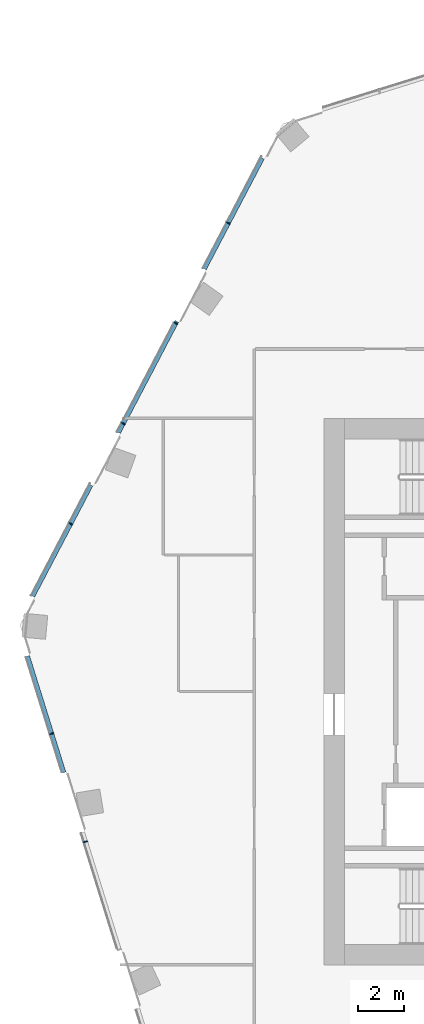
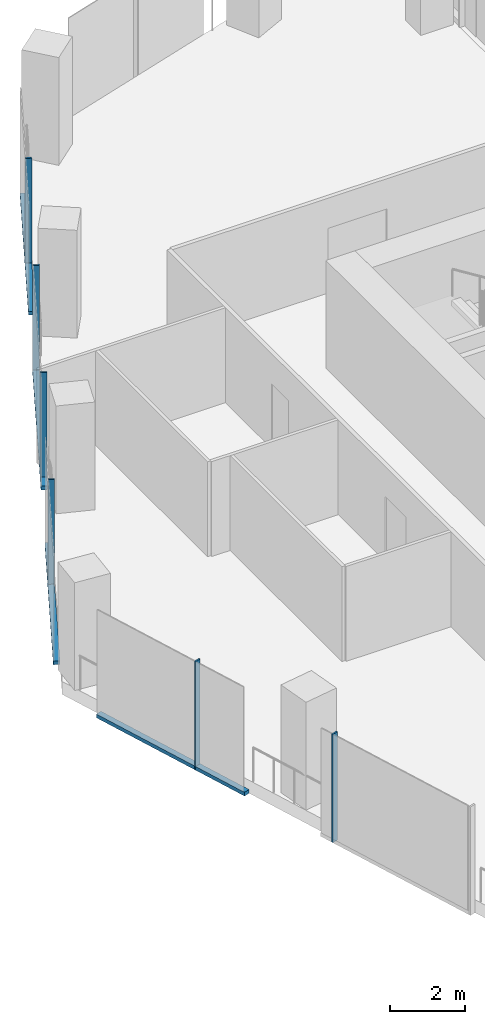
# One storey, part 5 of 26: 10 members, 2 elements without a shape of their own.
"""IFC4 building model written with IfcOpenShell, lengths in metres."""

from ifc_helpers import new_model, si_unit, direction, frame, origin, origin_2d, place, context, subcontext, project, spatial, rectangle, extrude, material, material_profile, profile_set, type_object, element, aggregate, save


model = new_model("IFC4")

# Units and contexts
model_context = context("Model", 3, precision=1e-05, world=origin(), true_north=direction((0.0, 1.0)))
body_context = subcontext(model_context, "Body", "Model", "MODEL_VIEW")
ifc_project = project(units=[si_unit("LENGTHUNIT", "METRE"), si_unit("AREAUNIT", "SQUARE_METRE"), si_unit("VOLUMEUNIT", "CUBIC_METRE"), si_unit("PLANEANGLEUNIT", "RADIAN"), si_unit("MASSUNIT", "GRAM", prefix="KILO")], contexts=[model_context])

# Site, building, storey
site_placement = place(None, origin())
site = spatial("IfcSite", under=ifc_project, at=site_placement, CompositionType="ELEMENT")
building_placement = place(site_placement, origin())
building = spatial("IfcBuilding", under=site, at=building_placement, Name="Orlundy Tower", CompositionType="ELEMENT")
storey_placement = place(building_placement, frame((0.0, 0.0, 253.5)))
storey = spatial("IfcBuildingStorey", under=building, at=storey_placement, Name="L67", CompositionType="ELEMENT", Elevation=253.5)

# Curtain wall, members
ifc_material_1 = material(Name="Aluminium bronze anodised", Category="aluminium")
curtain_wall_type = type_object("IfcCurtainWallType", Name="CW1 wall", PredefinedType="NOTDEFINED", material=ifc_material_1)
curtain_wall_1_placement = place(storey_placement, origin())
curtain_wall_1 = element("IfcCurtainWall", 1, at=curtain_wall_1_placement, inside=storey, type_object=curtain_wall_type, Name="CW1 run 01", PredefinedType="NOTDEFINED")
ifc_material_2 = material(Name="Aluminium bronze anodised", Category="aluminium")
ifc_material_profile_1 = material_profile(ifc_material_2, rectangle(XDim=0.179931640625, YDim=0.050048828125, at=origin_2d()), Name="CW1 mullion 50x180")
ifc_profile_set_1 = profile_set([ifc_material_profile_1], Name="Aluminium bronze anodised")
member_type_1 = type_object("IfcMemberType", Name="CW1 mullion 50x180", PredefinedType="MULLION", material=ifc_profile_set_1)
member_1_placement = place(storey_placement, frame((-29.4638671875, -6.592529296875, -0.419921875), z_axis=(0.0, 0.0, 1.0), x_axis=(-0.954580158408, -0.297954226643, 0.0)))
member_1 = element("IfcMember", 2, at=member_1_placement, type_object=member_type_1, Name="CW1 mullion 6", PredefinedType="MULLION", context=body_context, shape_type="SweptSolid", body=[
    extrude(rectangle(XDim=0.179931640625, YDim=0.050048828125, at=origin_2d()), origin(), (0.0, 0.0, 1.0), 3.52001953125),
])
member_2_placement = place(storey_placement, frame((-30.94482421875, -1.84765625, -0.419921875), z_axis=(0.0, 0.0, 1.0), x_axis=(-0.954580158408, -0.297954226643, 0.0)))
member_2 = element("IfcMember", 3, at=member_2_placement, type_object=member_type_1, Name="CW1 mullion 7", PredefinedType="MULLION", context=body_context, shape_type="SweptSolid", body=[
    extrude(rectangle(XDim=0.179931640625, YDim=0.050048828125, at=origin_2d()), origin(), (0.0, 0.0, 1.0), 3.52001953125),
])

curtain_wall_2_placement = place(storey_placement, origin())
curtain_wall_2 = element("IfcCurtainWall", 4, at=curtain_wall_2_placement, inside=storey, type_object=curtain_wall_type, Name="CW1 run 02", PredefinedType="NOTDEFINED")
member_3_placement = place(storey_placement, frame((-30.11181640625, 7.367919921875, -0.419921875), z_axis=(0.0, 0.0, 1.0), x_axis=(-0.885658998646, 0.464336233904, 0.0)))
member_3 = element("IfcMember", 5, at=member_3_placement, type_object=member_type_1, Name="CW1 mullion 9", PredefinedType="MULLION", context=body_context, shape_type="SweptSolid", body=[
    extrude(rectangle(XDim=0.179931640625, YDim=0.050048828125, at=origin_2d()), origin(), (0.0, 0.0, 1.0), 3.52001953125),
])
member_4_placement = place(storey_placement, frame((-27.8037109375, 11.770263671875, -0.419921875), z_axis=(0.0, 0.0, 1.0), x_axis=(-0.885658998646, 0.464336233904, 0.0)))
member_4 = element("IfcMember", 6, at=member_4_placement, type_object=member_type_1, Name="CW1 mullion 10", PredefinedType="MULLION", context=body_context, shape_type="SweptSolid", body=[
    extrude(rectangle(XDim=0.179931640625, YDim=0.050048828125, at=origin_2d()), origin(), (0.0, 0.0, 1.0), 3.52001953125),
])
member_5_placement = place(storey_placement, frame((-25.49560546875, 16.17236328125, -0.419921875), z_axis=(0.0, 0.0, 1.0), x_axis=(-0.885658998646, 0.464336233904, 0.0)))
member_5 = element("IfcMember", 7, at=member_5_placement, type_object=member_type_1, Name="CW1 mullion 11", PredefinedType="MULLION", context=body_context, shape_type="SweptSolid", body=[
    extrude(rectangle(XDim=0.179931640625, YDim=0.050048828125, at=origin_2d()), origin(), (0.0, 0.0, 1.0), 3.52001953125),
])
member_6_placement = place(storey_placement, frame((-23.187744140625, 20.57470703125, -0.419921875), z_axis=(0.0, 0.0, 1.0), x_axis=(-0.885658998646, 0.464336233904, 0.0)))
member_6 = element("IfcMember", 8, at=member_6_placement, type_object=member_type_1, Name="CW1 mullion 12", PredefinedType="MULLION", context=body_context, shape_type="SweptSolid", body=[
    extrude(rectangle(XDim=0.179931640625, YDim=0.050048828125, at=origin_2d()), origin(), (0.0, 0.0, 1.0), 3.52001953125),
])

# Member
ifc_material_3 = material(Name="Aluminium bronze anodised", Category="aluminium")
ifc_material_profile_2 = material_profile(ifc_material_3, rectangle(XDim=0.179931640625, YDim=0.1201171875, at=origin_2d()), Name="CW1 transom 180x120")
ifc_profile_set_2 = profile_set([ifc_material_profile_2], Name="Aluminium bronze anodised")
member_type_2 = type_object("IfcMemberType", Name="CW1 transom 180x120", PredefinedType="USERDEFINED", material=ifc_profile_set_2)
member_7_placement = place(storey_placement, frame((-30.410888671875, -3.558349609375, -0.360107421875), z_axis=(-0.297955998746, 0.954579605277, 0.0), x_axis=(-0.954579605277, -0.297955998746, 0.0)))
member_7 = element("IfcMember", 9, at=member_7_placement, type_object=member_type_2, Name="CW1 transom", ObjectType="TRANSOM", PredefinedType="USERDEFINED", context=body_context, shape_type="SweptSolid", body=[
    extrude(rectangle(XDim=0.179931640625, YDim=0.1201171875, at=origin_2d()), origin(), (0.0, 0.0, 1.0), 5.3603515625),
])

aggregate(curtain_wall_1, [member_1, member_2, member_7])

member_8_placement = place(storey_placement, frame((-31.778076171875, 4.189453125, -0.360107421875), z_axis=(0.464334675942, 0.885659815459, 0.0), x_axis=(-0.885659815459, 0.464334675942, 0.0)))
member_8 = element("IfcMember", 10, at=member_8_placement, type_object=member_type_2, Name="CW1 transom", ObjectType="TRANSOM", PredefinedType="USERDEFINED", context=body_context, shape_type="SweptSolid", body=[
    extrude(rectangle(XDim=0.179931640625, YDim=0.1201171875, at=origin_2d()), origin(), (0.0, 0.0, 1.0), 5.51171875),
])

member_9_placement = place(storey_placement, frame((-28.008544921875, 11.379638671875, -0.360107421875), z_axis=(0.464356271015, 0.885648493235, 0.0), x_axis=(-0.885648493235, 0.464356271015, 0.0)))
member_9 = element("IfcMember", 11, at=member_9_placement, type_object=member_type_2, Name="CW1 transom", ObjectType="TRANSOM", PredefinedType="USERDEFINED", context=body_context, shape_type="SweptSolid", body=[
    extrude(rectangle(XDim=0.179931640625, YDim=0.1201171875, at=origin_2d()), origin(), (0.0, 0.0, 1.0), 5.510498046875),
])

member_10_placement = place(storey_placement, frame((-24.240966796875, 18.5654296875, -0.360107421875), z_axis=(0.464329282656, 0.885662643035, 0.0), x_axis=(-0.885662643035, 0.464329282656, 0.0)))
member_10 = element("IfcMember", 12, at=member_10_placement, type_object=member_type_2, Name="CW1 transom", ObjectType="TRANSOM", PredefinedType="USERDEFINED", context=body_context, shape_type="SweptSolid", body=[
    extrude(rectangle(XDim=0.179931640625, YDim=0.1201171875, at=origin_2d()), origin(), (0.0, 0.0, 1.0), 5.490966796875),
])

aggregate(curtain_wall_2, [member_3, member_4, member_5, member_6, member_8, member_9, member_10])

save(model, "model.ifc")
